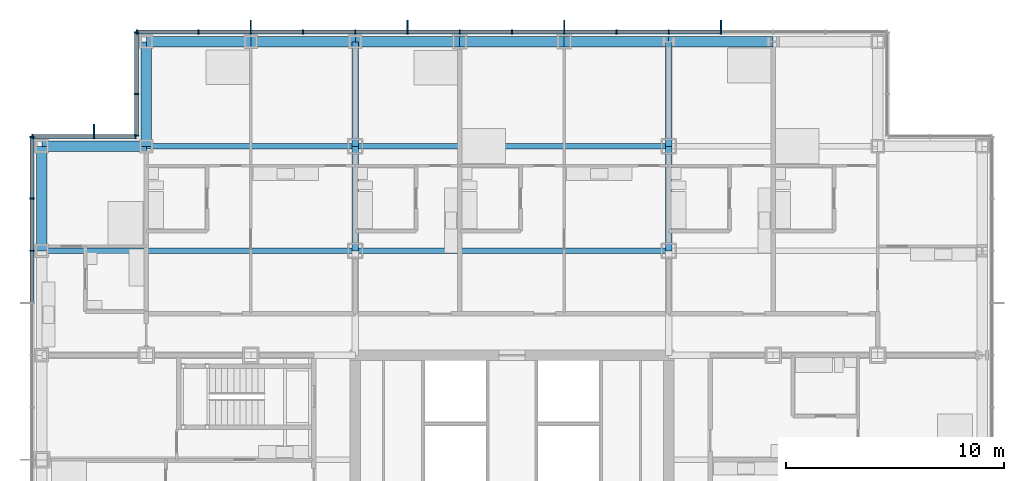
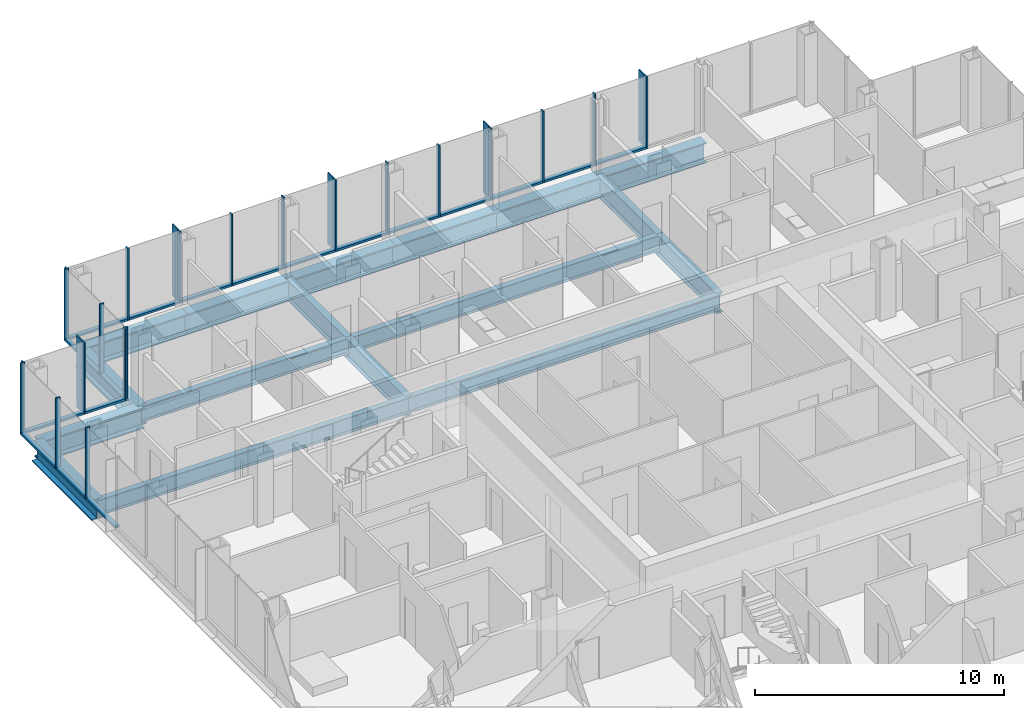
# One storey, part 10 of 21: 44 members, 17 beams, 4 elements without a shape of their own.
"""IFC4 building model written with IfcOpenShell, lengths in metres."""

from ifc_helpers import new_model, si_unit, direction, frame, origin, origin_2d, place, context, subcontext, project, spatial, rectangle, i_section, extrude, material, material_profile, profile_set, type_object, element, aggregate, save


model = new_model("IFC4")

# Units and contexts
model_context = context("Model", 3, precision=1e-05, world=origin(), true_north=direction((0.0, 1.0)))
body_context = subcontext(model_context, "Body", "Model", "MODEL_VIEW")
ifc_project = project(units=[si_unit("LENGTHUNIT", "METRE"), si_unit("AREAUNIT", "SQUARE_METRE"), si_unit("VOLUMEUNIT", "CUBIC_METRE"), si_unit("PLANEANGLEUNIT", "RADIAN"), si_unit("MASSUNIT", "GRAM", prefix="KILO")], contexts=[model_context])

# Site, building, storey
site_placement = place(None, origin())
site = spatial("IfcSite", under=ifc_project, at=site_placement, CompositionType="ELEMENT")
building_placement = place(site_placement, origin())
building = spatial("IfcBuilding", under=site, at=building_placement, Name="Kvirike Care Tower", CompositionType="ELEMENT")
storey_placement = place(building_placement, frame((0.0, 0.0, 34.0)))
storey = spatial("IfcBuildingStorey", under=building, at=storey_placement, Name="L08", CompositionType="ELEMENT", Elevation=34.0)

# Curtain wall, members
ifc_material_1 = material(Name="Anodised aluminium stick system", Category="aluminium")
curtain_wall_type = type_object("IfcCurtainWallType", Name="CW-A STICK CURTAIN WALL", PredefinedType="NOTDEFINED", material=ifc_material_1)
curtain_wall_1_placement = place(storey_placement, origin())
curtain_wall_1 = element("IfcCurtainWall", 1, at=curtain_wall_1_placement, inside=storey, type_object=curtain_wall_type, Name="Curtain wall L08 face 10", PredefinedType="NOTDEFINED")
ifc_material_2 = material(Name="Bronze anodised aluminium fin", Category="aluminium")
ifc_material_profile_1 = material_profile(ifc_material_2, rectangle(XDim=0.050048828125, YDim=0.449951171875, at=origin_2d()), Name="BRONZE FIN 450")
ifc_profile_set_1 = profile_set([ifc_material_profile_1], Name="Bronze anodised aluminium fin")
member_type_1 = type_object("IfcMemberType", Name="BRONZE FIN 450", PredefinedType="USERDEFINED", material=ifc_profile_set_1)
member_1_placement = place(storey_placement, frame((31.199951171875, 58.375, 0.0), z_axis=(0.0, 0.0, 1.0), x_axis=(-1.0, 0.0, 0.0)))
member_1 = element("IfcMember", 2, at=member_1_placement, type_object=member_type_1, Name="Bronze fin L08 face 10.4", ObjectType="FIN", PredefinedType="USERDEFINED", context=body_context, shape_type="SweptSolid", body=[
    extrude(rectangle(XDim=0.050048828125, YDim=0.449951171875, at=origin_2d()), origin(), (0.0, 0.0, 1.0), 3.5),
])
member_2_placement = place(storey_placement, frame((24.0, 58.375, 0.0), z_axis=(0.0, 0.0, 1.0), x_axis=(-1.0, 0.0, 0.0)))
member_2 = element("IfcMember", 3, at=member_2_placement, type_object=member_type_1, Name="Bronze fin L08 face 10.7", ObjectType="FIN", PredefinedType="USERDEFINED", context=body_context, shape_type="SweptSolid", body=[
    extrude(rectangle(XDim=0.050048828125, YDim=0.449951171875, at=origin_2d()), origin(), (0.0, 0.0, 1.0), 3.5),
])
member_3_placement = place(storey_placement, frame((16.800048828125, 58.375, 0.0), z_axis=(0.0, 0.0, 1.0), x_axis=(-1.0, 0.0, 0.0)))
member_3 = element("IfcMember", 4, at=member_3_placement, type_object=member_type_1, Name="Bronze fin L08 face 10.10", ObjectType="FIN", PredefinedType="USERDEFINED", context=body_context, shape_type="SweptSolid", body=[
    extrude(rectangle(XDim=0.050048828125, YDim=0.449951171875, at=origin_2d()), origin(), (0.0, 0.0, 1.0), 3.5),
])
member_4_placement = place(storey_placement, frame((9.60009765625, 58.375, 0.0), z_axis=(0.0, 0.0, 1.0), x_axis=(-1.0, 0.0, 0.0)))
member_4 = element("IfcMember", 5, at=member_4_placement, type_object=member_type_1, Name="Bronze fin L08 face 10.13", ObjectType="FIN", PredefinedType="USERDEFINED", context=body_context, shape_type="SweptSolid", body=[
    extrude(rectangle(XDim=0.050048828125, YDim=0.449951171875, at=origin_2d()), origin(), (0.0, 0.0, 1.0), 3.5),
])

# Curtain wall, member
curtain_wall_2_placement = place(storey_placement, origin())
curtain_wall_2 = element("IfcCurtainWall", 6, at=curtain_wall_2_placement, inside=storey, type_object=curtain_wall_type, Name="Curtain wall L08 face 12", PredefinedType="NOTDEFINED")
member_5_placement = place(storey_placement, frame((2.39990234375, 53.574951171875, 0.0), z_axis=(0.0, 0.0, 1.0), x_axis=(-1.0, 0.0, 0.0)))
member_5 = element("IfcMember", 7, at=member_5_placement, type_object=member_type_1, Name="Bronze fin L08 face 12.2", ObjectType="FIN", PredefinedType="USERDEFINED", context=body_context, shape_type="SweptSolid", body=[
    extrude(rectangle(XDim=0.050048828125, YDim=0.449951171875, at=origin_2d()), origin(), (0.0, 0.0, 1.0), 3.5),
])

# Curtain wall, members
curtain_wall_3_placement = place(storey_placement, origin())
curtain_wall_3 = element("IfcCurtainWall", 8, at=curtain_wall_3_placement, inside=storey, type_object=curtain_wall_type, Name="Curtain wall L08 face 1", PredefinedType="NOTDEFINED")
ifc_material_3 = material(Name="Bronze anodised aluminium mullion", Category="aluminium")
ifc_material_profile_2 = material_profile(ifc_material_3, rectangle(XDim=0.06494140625, YDim=0.199951171875, at=origin_2d()), Name="CW-A MULLION 65x200")
ifc_profile_set_2 = profile_set([ifc_material_profile_2], Name="Bronze anodised aluminium mullion")
member_type_2 = type_object("IfcMemberType", Name="CW-A MULLION 65x200", PredefinedType="MULLION", material=ifc_profile_set_2)
member_6_placement = place(storey_placement, frame((-0.449951171875, 53.217529296875, 0.0), z_axis=(0.0, 0.0, 1.0), x_axis=(0.0, -1.0, 0.0)))
member_6 = element("IfcMember", 9, at=member_6_placement, type_object=member_type_2, Name="CW-A mullion L08 face 1.1", PredefinedType="MULLION", context=body_context, shape_type="SweptSolid", body=[
    extrude(rectangle(XDim=0.06494140625, YDim=0.199951171875, at=origin_2d()), origin(), (0.0, 0.0, 1.0), 3.5),
])
member_7_placement = place(storey_placement, frame((-0.449951171875, 50.39990234375, 0.0), z_axis=(0.0, 0.0, 1.0), x_axis=(0.0, -1.0, 0.0)))
member_7 = element("IfcMember", 10, at=member_7_placement, type_object=member_type_2, Name="CW-A mullion L08 face 1.2", PredefinedType="MULLION", context=body_context, shape_type="SweptSolid", body=[
    extrude(rectangle(XDim=0.06494140625, YDim=0.199951171875, at=origin_2d()), origin(), (0.0, 0.0, 1.0), 3.5),
])
member_8_placement = place(storey_placement, frame((-0.449951171875, 48.0, 0.0), z_axis=(0.0, 0.0, 1.0), x_axis=(0.0, -1.0, 0.0)))
member_8 = element("IfcMember", 11, at=member_8_placement, type_object=member_type_2, Name="CW-A mullion L08 face 1.3", PredefinedType="MULLION", context=body_context, shape_type="SweptSolid", body=[
    extrude(rectangle(XDim=0.06494140625, YDim=0.199951171875, at=origin_2d()), origin(), (0.0, 0.0, 1.0), 3.5),
])

# Member
member_9_placement = place(storey_placement, frame((31.199951171875, 58.050048828125, 0.0), z_axis=(0.0, 0.0, 1.0), x_axis=(-1.0, 0.0, 0.0)))
member_9 = element("IfcMember", 12, at=member_9_placement, type_object=member_type_2, Name="CW-A mullion L08 face 10.4", PredefinedType="MULLION", context=body_context, shape_type="SweptSolid", body=[
    extrude(rectangle(XDim=0.06494140625, YDim=0.199951171875, at=origin_2d()), origin(), (0.0, 0.0, 1.0), 3.5),
])

member_10_placement = place(storey_placement, frame((28.800048828125, 58.050048828125, 0.0), z_axis=(0.0, 0.0, 1.0), x_axis=(-1.0, 0.0, 0.0)))
member_10 = element("IfcMember", 13, at=member_10_placement, type_object=member_type_2, Name="CW-A mullion L08 face 10.5", PredefinedType="MULLION", context=body_context, shape_type="SweptSolid", body=[
    extrude(rectangle(XDim=0.06494140625, YDim=0.199951171875, at=origin_2d()), origin(), (0.0, 0.0, 1.0), 3.5),
])

member_11_placement = place(storey_placement, frame((26.39990234375, 58.050048828125, 0.0), z_axis=(0.0, 0.0, 1.0), x_axis=(-1.0, 0.0, 0.0)))
member_11 = element("IfcMember", 14, at=member_11_placement, type_object=member_type_2, Name="CW-A mullion L08 face 10.6", PredefinedType="MULLION", context=body_context, shape_type="SweptSolid", body=[
    extrude(rectangle(XDim=0.06494140625, YDim=0.199951171875, at=origin_2d()), origin(), (0.0, 0.0, 1.0), 3.5),
])

member_12_placement = place(storey_placement, frame((24.0, 58.050048828125, 0.0), z_axis=(0.0, 0.0, 1.0), x_axis=(-1.0, 0.0, 0.0)))
member_12 = element("IfcMember", 15, at=member_12_placement, type_object=member_type_2, Name="CW-A mullion L08 face 10.7", PredefinedType="MULLION", context=body_context, shape_type="SweptSolid", body=[
    extrude(rectangle(XDim=0.06494140625, YDim=0.199951171875, at=origin_2d()), origin(), (0.0, 0.0, 1.0), 3.5),
])

member_13_placement = place(storey_placement, frame((21.60009765625, 58.050048828125, 0.0), z_axis=(0.0, 0.0, 1.0), x_axis=(-1.0, 0.0, 0.0)))
member_13 = element("IfcMember", 16, at=member_13_placement, type_object=member_type_2, Name="CW-A mullion L08 face 10.8", PredefinedType="MULLION", context=body_context, shape_type="SweptSolid", body=[
    extrude(rectangle(XDim=0.06494140625, YDim=0.199951171875, at=origin_2d()), origin(), (0.0, 0.0, 1.0), 3.5),
])

member_14_placement = place(storey_placement, frame((19.199951171875, 58.050048828125, 0.0), z_axis=(0.0, 0.0, 1.0), x_axis=(-1.0, 0.0, 0.0)))
member_14 = element("IfcMember", 17, at=member_14_placement, type_object=member_type_2, Name="CW-A mullion L08 face 10.9", PredefinedType="MULLION", context=body_context, shape_type="SweptSolid", body=[
    extrude(rectangle(XDim=0.06494140625, YDim=0.199951171875, at=origin_2d()), origin(), (0.0, 0.0, 1.0), 3.5),
])

member_15_placement = place(storey_placement, frame((16.800048828125, 58.050048828125, 0.0), z_axis=(0.0, 0.0, 1.0), x_axis=(-1.0, 0.0, 0.0)))
member_15 = element("IfcMember", 18, at=member_15_placement, type_object=member_type_2, Name="CW-A mullion L08 face 10.10", PredefinedType="MULLION", context=body_context, shape_type="SweptSolid", body=[
    extrude(rectangle(XDim=0.06494140625, YDim=0.199951171875, at=origin_2d()), origin(), (0.0, 0.0, 1.0), 3.5),
])

member_16_placement = place(storey_placement, frame((14.39990234375, 58.050048828125, 0.0), z_axis=(0.0, 0.0, 1.0), x_axis=(-1.0, 0.0, 0.0)))
member_16 = element("IfcMember", 19, at=member_16_placement, type_object=member_type_2, Name="CW-A mullion L08 face 10.11", PredefinedType="MULLION", context=body_context, shape_type="SweptSolid", body=[
    extrude(rectangle(XDim=0.06494140625, YDim=0.199951171875, at=origin_2d()), origin(), (0.0, 0.0, 1.0), 3.5),
])

member_17_placement = place(storey_placement, frame((12.0, 58.050048828125, 0.0), z_axis=(0.0, 0.0, 1.0), x_axis=(-1.0, 0.0, 0.0)))
member_17 = element("IfcMember", 20, at=member_17_placement, type_object=member_type_2, Name="CW-A mullion L08 face 10.12", PredefinedType="MULLION", context=body_context, shape_type="SweptSolid", body=[
    extrude(rectangle(XDim=0.06494140625, YDim=0.199951171875, at=origin_2d()), origin(), (0.0, 0.0, 1.0), 3.5),
])

member_18_placement = place(storey_placement, frame((9.60009765625, 58.050048828125, 0.0), z_axis=(0.0, 0.0, 1.0), x_axis=(-1.0, 0.0, 0.0)))
member_18 = element("IfcMember", 21, at=member_18_placement, type_object=member_type_2, Name="CW-A mullion L08 face 10.13", PredefinedType="MULLION", context=body_context, shape_type="SweptSolid", body=[
    extrude(rectangle(XDim=0.06494140625, YDim=0.199951171875, at=origin_2d()), origin(), (0.0, 0.0, 1.0), 3.5),
])

member_19_placement = place(storey_placement, frame((7.199951171875, 58.050048828125, 0.0), z_axis=(0.0, 0.0, 1.0), x_axis=(-1.0, 0.0, 0.0)))
member_19 = element("IfcMember", 22, at=member_19_placement, type_object=member_type_2, Name="CW-A mullion L08 face 10.14", PredefinedType="MULLION", context=body_context, shape_type="SweptSolid", body=[
    extrude(rectangle(XDim=0.06494140625, YDim=0.199951171875, at=origin_2d()), origin(), (0.0, 0.0, 1.0), 3.5),
])

member_20_placement = place(storey_placement, frame((4.382568359375, 58.050048828125, 0.0), z_axis=(0.0, 0.0, 1.0), x_axis=(-1.0, 0.0, 0.0)))
member_20 = element("IfcMember", 23, at=member_20_placement, type_object=member_type_2, Name="CW-A mullion L08 face 10.15", PredefinedType="MULLION", context=body_context, shape_type="SweptSolid", body=[
    extrude(rectangle(XDim=0.06494140625, YDim=0.199951171875, at=origin_2d()), origin(), (0.0, 0.0, 1.0), 3.5),
])

# Curtain wall, members
curtain_wall_4_placement = place(storey_placement, origin())
curtain_wall_4 = element("IfcCurtainWall", 24, at=curtain_wall_4_placement, inside=storey, type_object=curtain_wall_type, Name="Curtain wall L08 face 11", PredefinedType="NOTDEFINED")
member_21_placement = place(storey_placement, frame((4.35009765625, 58.017578125, 0.0), z_axis=(0.0, 0.0, 1.0), x_axis=(0.0, -1.0, 0.0)))
member_21 = element("IfcMember", 25, at=member_21_placement, type_object=member_type_2, Name="CW-A mullion L08 face 11.1", PredefinedType="MULLION", context=body_context, shape_type="SweptSolid", body=[
    extrude(rectangle(XDim=0.06494140625, YDim=0.199951171875, at=origin_2d()), origin(), (0.0, 0.0, 1.0), 3.5),
])
member_22_placement = place(storey_placement, frame((4.35009765625, 55.199951171875, 0.0), z_axis=(0.0, 0.0, 1.0), x_axis=(0.0, -1.0, 0.0)))
member_22 = element("IfcMember", 26, at=member_22_placement, type_object=member_type_2, Name="CW-A mullion L08 face 11.2", PredefinedType="MULLION", context=body_context, shape_type="SweptSolid", body=[
    extrude(rectangle(XDim=0.06494140625, YDim=0.199951171875, at=origin_2d()), origin(), (0.0, 0.0, 1.0), 3.5),
])
member_23_placement = place(storey_placement, frame((4.35009765625, 53.282470703125, 0.0), z_axis=(0.0, 0.0, 1.0), x_axis=(0.0, -1.0, 0.0)))
member_23 = element("IfcMember", 27, at=member_23_placement, type_object=member_type_2, Name="CW-A mullion L08 face 11.3", PredefinedType="MULLION", context=body_context, shape_type="SweptSolid", body=[
    extrude(rectangle(XDim=0.06494140625, YDim=0.199951171875, at=origin_2d()), origin(), (0.0, 0.0, 1.0), 3.5),
])

# Member
member_24_placement = place(storey_placement, frame((4.3173828125, 53.25, 0.0), z_axis=(0.0, 0.0, 1.0), x_axis=(-1.0, 0.0, 0.0)))
member_24 = element("IfcMember", 28, at=member_24_placement, type_object=member_type_2, Name="CW-A mullion L08 face 12.1", PredefinedType="MULLION", context=body_context, shape_type="SweptSolid", body=[
    extrude(rectangle(XDim=0.06494140625, YDim=0.199951171875, at=origin_2d()), origin(), (0.0, 0.0, 1.0), 3.5),
])

member_25_placement = place(storey_placement, frame((2.39990234375, 53.25, 0.0), z_axis=(0.0, 0.0, 1.0), x_axis=(-1.0, 0.0, 0.0)))
member_25 = element("IfcMember", 29, at=member_25_placement, type_object=member_type_2, Name="CW-A mullion L08 face 12.2", PredefinedType="MULLION", context=body_context, shape_type="SweptSolid", body=[
    extrude(rectangle(XDim=0.06494140625, YDim=0.199951171875, at=origin_2d()), origin(), (0.0, 0.0, 1.0), 3.5),
])

member_26_placement = place(storey_placement, frame((-0.41748046875, 53.25, 0.0), z_axis=(0.0, 0.0, 1.0), x_axis=(-1.0, 0.0, 0.0)))
member_26 = element("IfcMember", 30, at=member_26_placement, type_object=member_type_2, Name="CW-A mullion L08 face 12.3", PredefinedType="MULLION", context=body_context, shape_type="SweptSolid", body=[
    extrude(rectangle(XDim=0.06494140625, YDim=0.199951171875, at=origin_2d()), origin(), (0.0, 0.0, 1.0), 3.5),
])

ifc_material_4 = material(Name="Bronze anodised aluminium transom", Category="aluminium")
ifc_material_profile_3 = material_profile(ifc_material_4, rectangle(XDim=0.199951171875, YDim=0.10009765625, at=origin_2d()), Name="CW-A TRANSOM 200x100")
ifc_profile_set_3 = profile_set([ifc_material_profile_3], Name="Bronze anodised aluminium transom")
member_type_3 = type_object("IfcMemberType", Name="CW-A TRANSOM 200x100", PredefinedType="USERDEFINED", material=ifc_profile_set_3)
member_27_placement = place(storey_placement, frame((-0.449951171875, 53.18505859375, 0.050048828125), z_axis=(0.0, -1.0, 0.0), x_axis=(1.0, 0.0, 0.0)))
member_27 = element("IfcMember", 31, at=member_27_placement, type_object=member_type_3, Name="CW-A sill transom L08 face 1.1", ObjectType="TRANSOM", PredefinedType="USERDEFINED", context=body_context, shape_type="SweptSolid", body=[
    extrude(rectangle(XDim=0.199951171875, YDim=0.10009765625, at=origin_2d()), origin(), (0.0, 0.0, 1.0), 2.75244140625),
])

member_28_placement = place(storey_placement, frame((-0.449951171875, 50.367431640625, 0.050048828125), z_axis=(0.0, -1.0, 0.0), x_axis=(1.0, 0.0, 0.0)))
member_28 = element("IfcMember", 32, at=member_28_placement, type_object=member_type_3, Name="CW-A sill transom L08 face 1.2", ObjectType="TRANSOM", PredefinedType="USERDEFINED", context=body_context, shape_type="SweptSolid", body=[
    extrude(rectangle(XDim=0.199951171875, YDim=0.10009765625, at=origin_2d()), origin(), (0.0, 0.0, 1.0), 2.3349609375),
])

member_29_placement = place(storey_placement, frame((-0.449951171875, 47.967529296875, 0.050048828125), z_axis=(0.0, -1.0, 0.0), x_axis=(1.0, 0.0, 0.0)))
member_29 = element("IfcMember", 33, at=member_29_placement, type_object=member_type_3, Name="CW-A sill transom L08 face 1.3", ObjectType="TRANSOM", PredefinedType="USERDEFINED", context=body_context, shape_type="SweptSolid", body=[
    extrude(rectangle(XDim=0.199951171875, YDim=0.10009765625, at=origin_2d()), origin(), (0.0, 0.0, 1.0), 2.3349609375),
])

aggregate(curtain_wall_3, [member_6, member_7, member_8, member_27, member_28, member_29])

member_30_placement = place(storey_placement, frame((31.16748046875, 58.050048828125, 0.050048828125), z_axis=(-1.0, 0.0, 0.0), x_axis=(0.0, -1.0, 0.0)))
member_30 = element("IfcMember", 34, at=member_30_placement, type_object=member_type_3, Name="CW-A sill transom L08 face 10.4", ObjectType="TRANSOM", PredefinedType="USERDEFINED", context=body_context, shape_type="SweptSolid", body=[
    extrude(rectangle(XDim=0.199951171875, YDim=0.10009765625, at=origin_2d()), origin(), (0.0, 0.0, 1.0), 2.3349609375),
])

member_31_placement = place(storey_placement, frame((28.767578125, 58.050048828125, 0.050048828125), z_axis=(-1.0, 0.0, 0.0), x_axis=(0.0, -1.0, 0.0)))
member_31 = element("IfcMember", 35, at=member_31_placement, type_object=member_type_3, Name="CW-A sill transom L08 face 10.5", ObjectType="TRANSOM", PredefinedType="USERDEFINED", context=body_context, shape_type="SweptSolid", body=[
    extrude(rectangle(XDim=0.199951171875, YDim=0.10009765625, at=origin_2d()), origin(), (0.0, 0.0, 1.0), 2.3349609375),
])

member_32_placement = place(storey_placement, frame((26.367431640625, 58.050048828125, 0.050048828125), z_axis=(-1.0, 0.0, 0.0), x_axis=(0.0, -1.0, 0.0)))
member_32 = element("IfcMember", 36, at=member_32_placement, type_object=member_type_3, Name="CW-A sill transom L08 face 10.6", ObjectType="TRANSOM", PredefinedType="USERDEFINED", context=body_context, shape_type="SweptSolid", body=[
    extrude(rectangle(XDim=0.199951171875, YDim=0.10009765625, at=origin_2d()), origin(), (0.0, 0.0, 1.0), 2.3349609375),
])

member_33_placement = place(storey_placement, frame((23.967529296875, 58.050048828125, 0.050048828125), z_axis=(-1.0, 0.0, 0.0), x_axis=(0.0, -1.0, 0.0)))
member_33 = element("IfcMember", 37, at=member_33_placement, type_object=member_type_3, Name="CW-A sill transom L08 face 10.7", ObjectType="TRANSOM", PredefinedType="USERDEFINED", context=body_context, shape_type="SweptSolid", body=[
    extrude(rectangle(XDim=0.199951171875, YDim=0.10009765625, at=origin_2d()), origin(), (0.0, 0.0, 1.0), 2.3349609375),
])

member_34_placement = place(storey_placement, frame((21.5673828125, 58.050048828125, 0.050048828125), z_axis=(-1.0, 0.0, 0.0), x_axis=(0.0, -1.0, 0.0)))
member_34 = element("IfcMember", 38, at=member_34_placement, type_object=member_type_3, Name="CW-A sill transom L08 face 10.8", ObjectType="TRANSOM", PredefinedType="USERDEFINED", context=body_context, shape_type="SweptSolid", body=[
    extrude(rectangle(XDim=0.199951171875, YDim=0.10009765625, at=origin_2d()), origin(), (0.0, 0.0, 1.0), 2.3349609375),
])

member_35_placement = place(storey_placement, frame((19.16748046875, 58.050048828125, 0.050048828125), z_axis=(-1.0, 0.0, 0.0), x_axis=(0.0, -1.0, 0.0)))
member_35 = element("IfcMember", 39, at=member_35_placement, type_object=member_type_3, Name="CW-A sill transom L08 face 10.9", ObjectType="TRANSOM", PredefinedType="USERDEFINED", context=body_context, shape_type="SweptSolid", body=[
    extrude(rectangle(XDim=0.199951171875, YDim=0.10009765625, at=origin_2d()), origin(), (0.0, 0.0, 1.0), 2.3349609375),
])

member_36_placement = place(storey_placement, frame((16.767578125, 58.050048828125, 0.050048828125), z_axis=(-1.0, 0.0, 0.0), x_axis=(0.0, -1.0, 0.0)))
member_36 = element("IfcMember", 40, at=member_36_placement, type_object=member_type_3, Name="CW-A sill transom L08 face 10.10", ObjectType="TRANSOM", PredefinedType="USERDEFINED", context=body_context, shape_type="SweptSolid", body=[
    extrude(rectangle(XDim=0.199951171875, YDim=0.10009765625, at=origin_2d()), origin(), (0.0, 0.0, 1.0), 2.3349609375),
])

member_37_placement = place(storey_placement, frame((14.367431640625, 58.050048828125, 0.050048828125), z_axis=(-1.0, 0.0, 0.0), x_axis=(0.0, -1.0, 0.0)))
member_37 = element("IfcMember", 41, at=member_37_placement, type_object=member_type_3, Name="CW-A sill transom L08 face 10.11", ObjectType="TRANSOM", PredefinedType="USERDEFINED", context=body_context, shape_type="SweptSolid", body=[
    extrude(rectangle(XDim=0.199951171875, YDim=0.10009765625, at=origin_2d()), origin(), (0.0, 0.0, 1.0), 2.3349609375),
])

member_38_placement = place(storey_placement, frame((11.967529296875, 58.050048828125, 0.050048828125), z_axis=(-1.0, 0.0, 0.0), x_axis=(0.0, -1.0, 0.0)))
member_38 = element("IfcMember", 42, at=member_38_placement, type_object=member_type_3, Name="CW-A sill transom L08 face 10.12", ObjectType="TRANSOM", PredefinedType="USERDEFINED", context=body_context, shape_type="SweptSolid", body=[
    extrude(rectangle(XDim=0.199951171875, YDim=0.10009765625, at=origin_2d()), origin(), (0.0, 0.0, 1.0), 2.3349609375),
])

member_39_placement = place(storey_placement, frame((9.5673828125, 58.050048828125, 0.050048828125), z_axis=(-1.0, 0.0, 0.0), x_axis=(0.0, -1.0, 0.0)))
member_39 = element("IfcMember", 43, at=member_39_placement, type_object=member_type_3, Name="CW-A sill transom L08 face 10.13", ObjectType="TRANSOM", PredefinedType="USERDEFINED", context=body_context, shape_type="SweptSolid", body=[
    extrude(rectangle(XDim=0.199951171875, YDim=0.10009765625, at=origin_2d()), origin(), (0.0, 0.0, 1.0), 2.3349609375),
])

member_40_placement = place(storey_placement, frame((7.16748046875, 58.050048828125, 0.050048828125), z_axis=(-1.0, 0.0, 0.0), x_axis=(0.0, -1.0, 0.0)))
member_40 = element("IfcMember", 44, at=member_40_placement, type_object=member_type_3, Name="CW-A sill transom L08 face 10.14", ObjectType="TRANSOM", PredefinedType="USERDEFINED", context=body_context, shape_type="SweptSolid", body=[
    extrude(rectangle(XDim=0.199951171875, YDim=0.10009765625, at=origin_2d()), origin(), (0.0, 0.0, 1.0), 2.75244140625),
])

aggregate(curtain_wall_1, [member_9, member_1, member_10, member_11, member_12, member_2, member_13, member_14, member_15, member_3, member_16, member_17, member_18, member_4, member_19, member_20, member_30, member_31, member_32, member_33, member_34, member_35, member_36, member_37, member_38, member_39, member_40])

member_41_placement = place(storey_placement, frame((4.35009765625, 57.985107421875, 0.050048828125), z_axis=(0.0, -1.0, 0.0), x_axis=(1.0, 0.0, 0.0)))
member_41 = element("IfcMember", 45, at=member_41_placement, type_object=member_type_3, Name="CW-A sill transom L08 face 11.1", ObjectType="TRANSOM", PredefinedType="USERDEFINED", context=body_context, shape_type="SweptSolid", body=[
    extrude(rectangle(XDim=0.199951171875, YDim=0.10009765625, at=origin_2d()), origin(), (0.0, 0.0, 1.0), 2.752685546875),
])

member_42_placement = place(storey_placement, frame((4.35009765625, 55.16748046875, 0.050048828125), z_axis=(0.0, -1.0, 0.0), x_axis=(1.0, 0.0, 0.0)))
member_42 = element("IfcMember", 46, at=member_42_placement, type_object=member_type_3, Name="CW-A sill transom L08 face 11.2", ObjectType="TRANSOM", PredefinedType="USERDEFINED", context=body_context, shape_type="SweptSolid", body=[
    extrude(rectangle(XDim=0.199951171875, YDim=0.10009765625, at=origin_2d()), origin(), (0.0, 0.0, 1.0), 1.8525390625),
])

aggregate(curtain_wall_4, [member_21, member_22, member_23, member_41, member_42])

member_43_placement = place(storey_placement, frame((4.284912109375, 53.25, 0.050048828125), z_axis=(-1.0, 0.0, 0.0), x_axis=(0.0, -1.0, 0.0)))
member_43 = element("IfcMember", 47, at=member_43_placement, type_object=member_type_3, Name="CW-A sill transom L08 face 12.1", ObjectType="TRANSOM", PredefinedType="USERDEFINED", context=body_context, shape_type="SweptSolid", body=[
    extrude(rectangle(XDim=0.199951171875, YDim=0.10009765625, at=origin_2d()), origin(), (0.0, 0.0, 1.0), 1.852294921875),
])

member_44_placement = place(storey_placement, frame((2.367431640625, 53.25, 0.050048828125), z_axis=(-1.0, 0.0, 0.0), x_axis=(0.0, -1.0, 0.0)))
member_44 = element("IfcMember", 48, at=member_44_placement, type_object=member_type_3, Name="CW-A sill transom L08 face 12.2", ObjectType="TRANSOM", PredefinedType="USERDEFINED", context=body_context, shape_type="SweptSolid", body=[
    extrude(rectangle(XDim=0.199951171875, YDim=0.10009765625, at=origin_2d()), origin(), (0.0, 0.0, 1.0), 2.75244140625),
])

aggregate(curtain_wall_2, [member_24, member_25, member_5, member_26, member_43, member_44])

# Beams
ifc_material_5 = material(Name="Steel S355", Category="steel")
ifc_material_profile_4 = material_profile(ifc_material_5, i_section(OverallWidth=0.26806640625, OverallDepth=0.77001953125, WebThickness=0.015625, FlangeThickness=0.025390625, FilletRadius=0.01708984375, at=origin_2d()), Name="IPE 750x196")
ifc_profile_set_4 = profile_set([ifc_material_profile_4], Name="Steel S355")
beam_type_1 = type_object("IfcBeamType", Name="FLOOR BEAM IPE 750x196", PredefinedType="BEAM", material=ifc_profile_set_4)
beam_1_placement = place(storey_placement, frame((0.0, 48.0, -0.554931640625), z_axis=(1.0, 0.0, 0.0), x_axis=(0.0, 1.0, 0.0)))
element("IfcBeam", 49, at=beam_1_placement, inside=storey, type_object=beam_type_1, Name="Floor Beam L3-L6 L08", PredefinedType="BEAM", context=body_context, shape_type="SweptSolid", body=[
    extrude(i_section(OverallWidth=0.26806640625, OverallDepth=0.77001953125, WebThickness=0.015625, FlangeThickness=0.025390625, FilletRadius=0.01708984375, at=origin_2d()), origin(), (0.0, 0.0, 1.0), 14.39990234375),
])
beam_2_placement = place(storey_placement, frame((14.39990234375, 48.0, -0.554931640625), z_axis=(1.0, 0.0, 0.0), x_axis=(0.0, 1.0, 0.0)))
element("IfcBeam", 50, at=beam_2_placement, inside=storey, type_object=beam_type_1, Name="Floor Beam L6-L9 L08", PredefinedType="BEAM", context=body_context, shape_type="SweptSolid", body=[
    extrude(i_section(OverallWidth=0.26806640625, OverallDepth=0.77001953125, WebThickness=0.015625, FlangeThickness=0.025390625, FilletRadius=0.01708984375, at=origin_2d()), origin(), (0.0, 0.0, 1.0), 14.400146484375),
])
beam_3_placement = place(storey_placement, frame((4.800048828125, 52.800048828125, -0.554931640625), z_axis=(1.0, 0.0, 0.0), x_axis=(0.0, 1.0, 0.0)))
element("IfcBeam", 51, at=beam_3_placement, inside=storey, type_object=beam_type_1, Name="Floor Beam M4-M6 L08", PredefinedType="BEAM", context=body_context, shape_type="SweptSolid", body=[
    extrude(i_section(OverallWidth=0.26806640625, OverallDepth=0.77001953125, WebThickness=0.015625, FlangeThickness=0.025390625, FilletRadius=0.01708984375, at=origin_2d()), origin(), (0.0, 0.0, 1.0), 9.599853515625),
])
beam_4_placement = place(storey_placement, frame((14.39990234375, 52.800048828125, -0.554931640625), z_axis=(1.0, 0.0, 0.0), x_axis=(0.0, 1.0, 0.0)))
element("IfcBeam", 52, at=beam_4_placement, inside=storey, type_object=beam_type_1, Name="Floor Beam M6-M9 L08", PredefinedType="BEAM", context=body_context, shape_type="SweptSolid", body=[
    extrude(i_section(OverallWidth=0.26806640625, OverallDepth=0.77001953125, WebThickness=0.015625, FlangeThickness=0.025390625, FilletRadius=0.01708984375, at=origin_2d()), origin(), (0.0, 0.0, 1.0), 14.400146484375),
])
ifc_material_6 = material(Name="Steel S355", Category="steel")
ifc_material_profile_5 = material_profile(ifc_material_6, i_section(OverallWidth=0.300048828125, OverallDepth=1.0, WebThickness=0.01904296875, FlangeThickness=0.035888671875, FilletRadius=0.030029296875, at=origin_2d()), Name="HE 1000 B")
ifc_profile_set_5 = profile_set([ifc_material_profile_5], Name="Steel S355")
beam_type_2 = type_object("IfcBeamType", Name="FRAME BEAM HE 1000 B", PredefinedType="BEAM", material=ifc_profile_set_5)
for number, where, z_axis, x_axis, name in (
    (53, (14.39990234375, 48.0, -0.669921875), (0.0, 1.0, 0.0), (-1.0, 0.0, 0.0), "Frame Beam L6-M6 L08"),
    (54, (14.39990234375, 52.800048828125, -0.669921875), (0.0, 1.0, 0.0), (-1.0, 0.0, 0.0), "Frame Beam M6-N6 L08"),
    (55, (28.800048828125, 48.0, -0.669921875), (0.0, 1.0, 0.0), (-1.0, 0.0, 0.0), "Frame Beam L9-M9 L08"),
    (56, (28.800048828125, 52.800048828125, -0.669921875), (0.0, 1.0, 0.0), (-1.0, 0.0, 0.0), "Frame Beam M9-N9 L08"),
):
    element("IfcBeam", number, at=place(storey_placement, frame(where, z_axis=z_axis, x_axis=x_axis)), inside=storey, type_object=beam_type_2, Name=name, PredefinedType="BEAM", context=body_context, shape_type="SweptSolid", body=[
        extrude(i_section(OverallWidth=0.300048828125, OverallDepth=1.0, WebThickness=0.01904296875, FlangeThickness=0.035888671875, FilletRadius=0.030029296875, at=origin_2d()), origin(), (0.0, 0.0, 1.0), 4.800048828125),
    ])
ifc_material_7 = material(Name="Steel S355", Category="steel")
ifc_material_profile_6 = material_profile(ifc_material_7, i_section(OverallWidth=0.5, OverallDepth=1.0, WebThickness=0.030029296875, FlangeThickness=0.06005859375, at=origin_2d()), Name="PG 1000x500x30x60")
ifc_profile_set_6 = profile_set([ifc_material_profile_6], Name="Steel S355")
beam_type_3 = type_object("IfcBeamType", Name="SPANDREL PG 1000x500x30x60", PredefinedType="SPANDREL", material=ifc_profile_set_6)
for number, where, z_axis, x_axis, name in (
    (57, (0.0, 52.800048828125, -0.669921875), (1.0, 0.0, 0.0), (0.0, 1.0, 0.0), "Spandrel M3-M4 L08"),
    (58, (4.800048828125, 57.60009765625, -0.669921875), (1.0, 0.0, 0.0), (0.0, 1.0, 0.0), "Spandrel N4-N5 L08"),
):
    element("IfcBeam", number, at=place(storey_placement, frame(where, z_axis=z_axis, x_axis=x_axis)), inside=storey, type_object=beam_type_3, Name=name, PredefinedType="SPANDREL", context=body_context, shape_type="SweptSolid", body=[
        extrude(i_section(OverallWidth=0.5, OverallDepth=1.0, WebThickness=0.030029296875, FlangeThickness=0.06005859375, at=origin_2d()), origin(), (0.0, 0.0, 1.0), 4.800048828125),
    ])
beam_5_placement = place(storey_placement, frame((9.60009765625, 57.60009765625, -0.669921875), z_axis=(1.0, 0.0, 0.0), x_axis=(0.0, 1.0, 0.0)))
element("IfcBeam", 59, at=beam_5_placement, inside=storey, type_object=beam_type_3, Name="Spandrel N5-N6 L08", PredefinedType="SPANDREL", context=body_context, shape_type="SweptSolid", body=[
    extrude(i_section(OverallWidth=0.5, OverallDepth=1.0, WebThickness=0.030029296875, FlangeThickness=0.06005859375, at=origin_2d()), origin(), (0.0, 0.0, 1.0), 4.7998046875),
])
for number, where, z_axis, x_axis, name in (
    (60, (14.39990234375, 57.60009765625, -0.669921875), (1.0, 0.0, 0.0), (0.0, 1.0, 0.0), "Spandrel N6-N7 L08"),
    (61, (19.199951171875, 57.60009765625, -0.669921875), (1.0, 0.0, 0.0), (0.0, 1.0, 0.0), "Spandrel N7-N8 L08"),
    (62, (24.0, 57.60009765625, -0.669921875), (1.0, 0.0, 0.0), (0.0, 1.0, 0.0), "Spandrel N8-N9 L08"),
    (63, (28.800048828125, 57.60009765625, -0.669921875), (1.0, 0.0, 0.0), (0.0, 1.0, 0.0), "Spandrel N9-N10 L08"),
    (64, (0.0, 48.0, -0.669921875), (0.0, 1.0, 0.0), (-1.0, 0.0, 0.0), "Spandrel L3-M3 L08"),
    (65, (4.800048828125, 52.800048828125, -0.669921875), (0.0, 1.0, 0.0), (-1.0, 0.0, 0.0), "Spandrel M4-N4 L08"),
):
    element("IfcBeam", number, at=place(storey_placement, frame(where, z_axis=z_axis, x_axis=x_axis)), inside=storey, type_object=beam_type_3, Name=name, PredefinedType="SPANDREL", context=body_context, shape_type="SweptSolid", body=[
        extrude(i_section(OverallWidth=0.5, OverallDepth=1.0, WebThickness=0.030029296875, FlangeThickness=0.06005859375, at=origin_2d()), origin(), (0.0, 0.0, 1.0), 4.800048828125),
    ])

save(model, "model.ifc")
